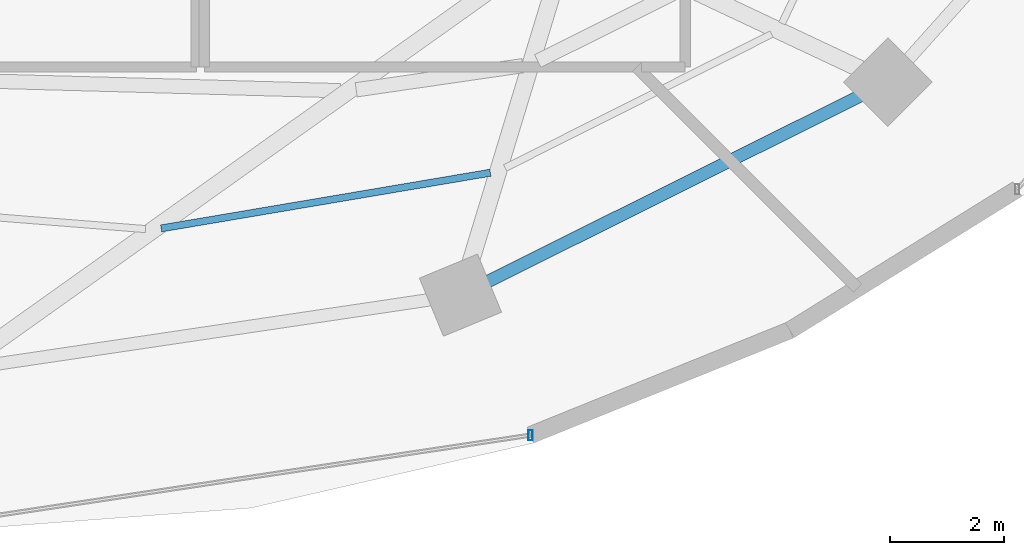
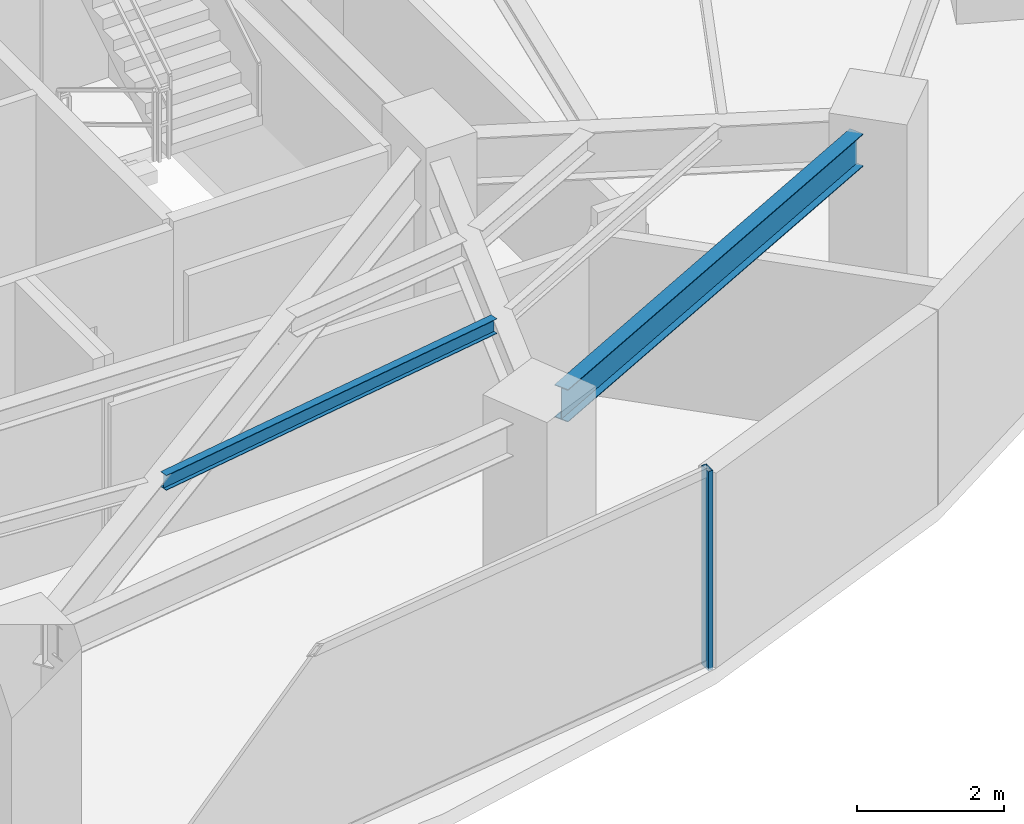
# One storey, part 11 of 30: 2 beams, 1 member, 1 element without a shape of its own.
"""IFC4 building model written with IfcOpenShell, lengths in metres."""

from ifc_helpers import new_model, si_unit, direction, frame, origin, origin_2d, place, context, subcontext, project, spatial, hollow_rectangle, i_section, extrude, material, material_profile, profile_set, type_object, element, aggregate, save


model = new_model("IFC4")

# Units and contexts
model_context = context("Model", 3, precision=1e-05, world=origin(), true_north=direction((0.0, 1.0)))
body_context = subcontext(model_context, "Body", "Model", "MODEL_VIEW")
ifc_project = project(units=[si_unit("LENGTHUNIT", "METRE"), si_unit("AREAUNIT", "SQUARE_METRE"), si_unit("VOLUMEUNIT", "CUBIC_METRE"), si_unit("PLANEANGLEUNIT", "RADIAN"), si_unit("MASSUNIT", "GRAM", prefix="KILO")], contexts=[model_context])

# Site, building, storey
site_placement = place(None, origin())
site = spatial("IfcSite", under=ifc_project, at=site_placement, CompositionType="ELEMENT")
building_placement = place(site_placement, origin())
building = spatial("IfcBuilding", under=site, at=building_placement, Name="Vorneva Point Tower", CompositionType="ELEMENT")
storey_placement = place(building_placement, frame((0.0, 0.0, 106.800048828125)))
storey = spatial("IfcBuildingStorey", under=building, at=storey_placement, Name="L28", CompositionType="ELEMENT", Elevation=106.800048828125)

# Beams
ifc_material_1 = material(Name="Steel S355", Category="steel")
ifc_material_profile_1 = material_profile(ifc_material_1, i_section(OverallWidth=0.1240234375, OverallDepth=0.248046875, WebThickness=0.0048828125, FlangeThickness=0.008056640625, at=origin_2d()), Name="25B1")
ifc_profile_set_1 = profile_set([ifc_material_profile_1], Name="Steel S355")
beam_type_1 = type_object("IfcBeamType", Name="BM-JST-25B1", PredefinedType="JOIST", material=ifc_profile_set_1)
beam_1_placement = place(storey_placement, frame((41.584716796875, 11.277099609375, 3.115966796875), z_axis=(0.985993367103, 0.166784531742, 0.0), x_axis=(-0.166784531742, 0.985993367103, 0.0)))
element("IfcBeam", 1, at=beam_1_placement, inside=storey, type_object=beam_type_1, Name="L28 Secondary Floor Beam 1.13", PredefinedType="JOIST", context=body_context, shape_type="SweptSolid", body=[
    extrude(i_section(OverallWidth=0.1240234375, OverallDepth=0.248046875, WebThickness=0.0048828125, FlangeThickness=0.008056640625, at=origin_2d()), origin(), (0.0, 0.0, 1.0), 5.840576171875),
])
ifc_material_profile_2 = material_profile(ifc_material_1, i_section(OverallWidth=0.219970703125, OverallDepth=0.54296875, WebThickness=0.009521484375, FlangeThickness=0.013427734375, at=origin_2d()), Name="55B1")
ifc_profile_set_2 = profile_set([ifc_material_profile_2], Name="Steel S355")
beam_type_2 = type_object("IfcBeamType", Name="BM-SPN-55B1", PredefinedType="SPANDREL", material=ifc_profile_set_2)
beam_2_placement = place(storey_placement, frame((47.2998046875, 10.347900390625, 2.968505859375), z_axis=(0.894915882304, 0.446234874926, 0.0), x_axis=(-0.446234874926, 0.894915882304, 0.0)))
element("IfcBeam", 2, at=beam_2_placement, inside=storey, type_object=beam_type_2, Name="L28 Perimeter Spandrel Ring Beam 14", PredefinedType="SPANDREL", context=body_context, shape_type="SweptSolid", body=[
    extrude(i_section(OverallWidth=0.219970703125, OverallDepth=0.54296875, WebThickness=0.009521484375, FlangeThickness=0.013427734375, at=origin_2d()), origin(), (0.0, 0.0, 1.0), 7.285888671875),
])

# Curtain wall, member
ifc_material_2 = material(Name="Pale anodised aluminium", Category="aluminium")
curtain_wall_type = type_object("IfcCurtainWallType", Name="CW-HTL-SYS", PredefinedType="NOTDEFINED", material=ifc_material_2)
curtain_wall_placement = place(storey_placement, origin())
curtain_wall = element("IfcCurtainWall", 3, at=curtain_wall_placement, inside=storey, type_object=curtain_wall_type, Name="L28 Unitised Curtain Wall CW-L28-R04", PredefinedType="NOTDEFINED")
ifc_material_profile_3 = material_profile(ifc_material_2, hollow_rectangle(XDim=0.074951171875, YDim=0.179931640625, WallThickness=0.00390625, at=origin_2d()), Name="AL-MUL 180x75x4")
ifc_profile_set_3 = profile_set([ifc_material_profile_3], Name="Pale anodised aluminium")
member_type = type_object("IfcMemberType", Name="CW-MUL-180", PredefinedType="MULLION", material=ifc_profile_set_3)
member_placement = place(storey_placement, frame((48.04541015625, 7.660888671875, -0.0400390625), z_axis=(0.0, 0.0, 1.0), x_axis=(1.0, 0.0, 0.0)))
member = element("IfcMember", 4, at=member_placement, type_object=member_type, Name="CW-L28-R04 Mullion 04", PredefinedType="MULLION", context=body_context, shape_type="SweptSolid", body=[
    extrude(hollow_rectangle(XDim=0.074951171875, YDim=0.179931640625, WallThickness=0.00390625, at=origin_2d()), origin(), (0.0, 0.0, 1.0), 3.31005859375),
])
aggregate(curtain_wall, [member])

save(model, "model.ifc")
